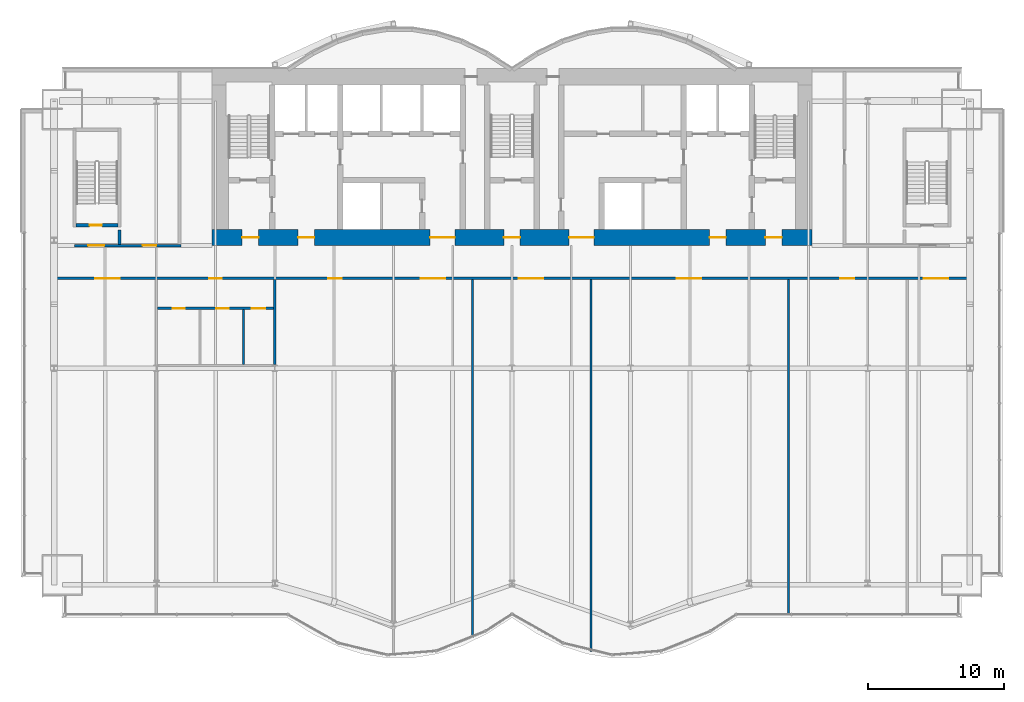
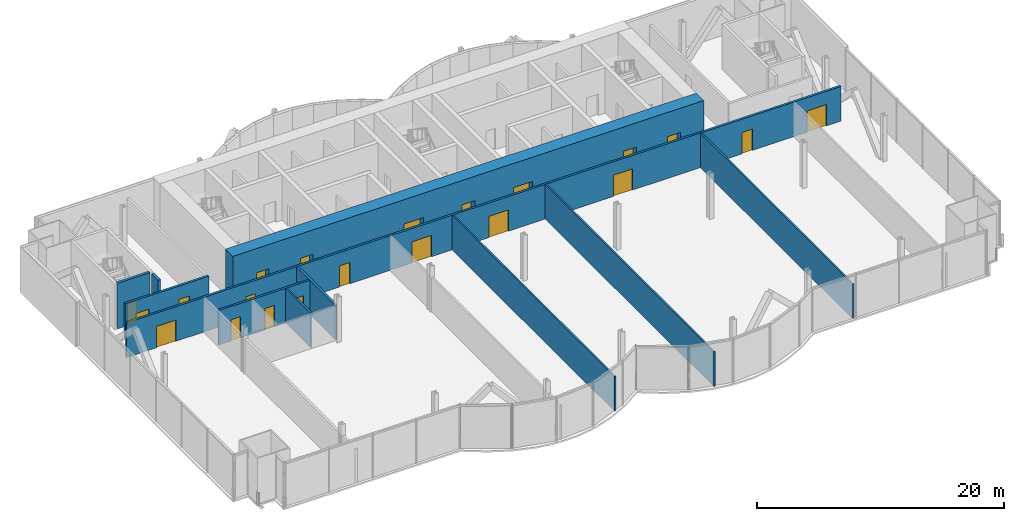
# One storey, part 15 of 21: 21 doors, 11 walls, 21 openings.
"""IFC4 building model written with IfcOpenShell, lengths in metres."""

from ifc_helpers import new_model, si_unit, direction, frame, frame_2d, origin, place, context, subcontext, project, spatial, rectangle, extrude, material, layer, layer_set, type_object, element, fill, save


model = new_model("IFC4")

# Units and contexts
model_context = context("Model", 3, precision=1e-05, world=origin(), true_north=direction((0.0, 1.0)))
body_context = subcontext(model_context, "Body", "Model", "MODEL_VIEW")
ifc_project = project(units=[si_unit("LENGTHUNIT", "METRE"), si_unit("AREAUNIT", "SQUARE_METRE"), si_unit("VOLUMEUNIT", "CUBIC_METRE"), si_unit("PLANEANGLEUNIT", "RADIAN"), si_unit("MASSUNIT", "GRAM", prefix="KILO")], contexts=[model_context])

# Site, building, storey
site_placement = place(None, origin())
site = spatial("IfcSite", under=ifc_project, at=site_placement, CompositionType="ELEMENT")
building_placement = place(site_placement, origin())
building = spatial("IfcBuilding", under=site, at=building_placement, Name="Bicima Exchange Tower", CompositionType="ELEMENT")
storey_placement = place(building_placement, frame((0.0, 0.0, 66.5)))
storey = spatial("IfcBuildingStorey", under=building, at=storey_placement, Name="L13", CompositionType="ELEMENT", Elevation=66.5)

# Wall, openings, doors
ifc_material_1 = material(Name="Gypsum board partition")
ifc_layer_1 = layer(ifc_material_1, 0.199951171875)
ifc_layer_set_1 = layer_set([ifc_layer_1], Name="Gypsum board partition")
wall_type_1 = type_object("IfcWallType", Name="Fire-rated gypsum partition 200 EI60", PredefinedType="PARTITIONING", material=ifc_layer_set_1)
wall_1_placement = place(storey_placement, frame((-26.0, -17.60009765625, 0.0), z_axis=(0.0, 0.0, 1.0), x_axis=(1.0, 0.0, 0.0)))
wall_1 = element("IfcWall", 1, at=wall_1_placement, inside=storey, type_object=wall_type_1, Name="partition wall 2", PredefinedType="PARTITIONING", context=body_context, shape_type="SweptSolid", body=[
    extrude(rectangle(XDim=8.5, YDim=0.199951171875, at=frame_2d((4.25, 0.0))), origin(), (0.0, 0.0, 1.0), 3.418212890625),
])
opening_1_placement = place(wall_1_placement, frame((1.10009765625, 0.0, 0.0)))
opening_1 = element("IfcOpeningElement", 2, at=opening_1_placement, cuts=wall_1, Name="Opening L13-009", PredefinedType="OPENING", context=body_context, shape_type="SweptSolid", body=[
    extrude(rectangle(XDim=0.89990234375, YDim=2.10009765625, at=frame_2d((0.449951171875, 1.050048828125))), frame((0.0, 0.11181640625, 0.0), z_axis=(0.0, -1.0, 0.0), x_axis=(1.0, 0.0, 0.0)), (0.0, 0.0, 1.0), 0.223876953125),
])
opening_2_placement = place(wall_1_placement, frame((4.300048828125, 0.0, 0.0)))
opening_2 = element("IfcOpeningElement", 3, at=opening_2_placement, cuts=wall_1, Name="Opening L13-010", PredefinedType="OPENING", context=body_context, shape_type="SweptSolid", body=[
    extrude(rectangle(XDim=0.89990234375, YDim=2.10009765625, at=frame_2d((0.449951171875, 1.050048828125))), frame((0.0, 0.11181640625, 0.0), z_axis=(0.0, -1.0, 0.0), x_axis=(1.0, 0.0, 0.0)), (0.0, 0.0, 1.0), 0.223876953125),
])
opening_3_placement = place(wall_1_placement, frame((6.89990234375, 0.0, 0.0)))
opening_3 = element("IfcOpeningElement", 4, at=opening_3_placement, cuts=wall_1, Name="Opening L13-011", PredefinedType="OPENING", context=body_context, shape_type="SweptSolid", body=[
    extrude(rectangle(XDim=1.0, YDim=2.10009765625, at=frame_2d((0.5, 1.050048828125))), frame((0.0, 0.11181640625, 0.0), z_axis=(0.0, -1.0, 0.0), x_axis=(1.0, 0.0, 0.0)), (0.0, 0.0, 1.0), 0.223876953125),
])
ifc_material_2 = material(Name="Steel fire door leaf", Category="steel")
door_type_1 = type_object("IfcDoorType", Name="Door 1000 swing FD30S", OperationType="SINGLE_SWING_LEFT", PredefinedType="DOOR", material=ifc_material_2)
door_1_placement = place(opening_3_placement, frame((1.0, 0.0, 0.0), z_axis=(0.0, 0.0, 1.0), x_axis=(-1.0, 0.0, 0.0)))
door_1 = element("IfcDoor", 5, at=door_1_placement, inside=storey, type_object=door_type_1, Name="Door", OperationType="SINGLE_SWING_RIGHT", OverallHeight=2.10009765625, OverallWidth=1.0, PredefinedType="DOOR", context=body_context, shape_type="SweptSolid", body=[
    extrude(rectangle(XDim=1.0, YDim=2.10009765625, at=frame_2d((0.5, 1.050048828125))), frame((0.0, 0.02490234375, 0.0), z_axis=(0.0, -1.0, 0.0), x_axis=(1.0, 0.0, 0.0)), (0.0, 0.0, 1.0), 0.050048828125),
])
fill(opening_3, door_1)
door_type_2 = type_object("IfcDoorType", Name="Door 900 swing FD30S", OperationType="SINGLE_SWING_LEFT", PredefinedType="DOOR", material=ifc_material_2)
door_2_placement = place(opening_1_placement, frame((0.89990234375, 0.0, 0.0), z_axis=(0.0, 0.0, 1.0), x_axis=(-1.0, 0.0, 0.0)))
door_2 = element("IfcDoor", 6, at=door_2_placement, inside=storey, type_object=door_type_2, Name="Door", OperationType="SINGLE_SWING_RIGHT", OverallHeight=2.10009765625, OverallWidth=0.89990234375, PredefinedType="DOOR", context=body_context, shape_type="SweptSolid", body=[
    extrude(rectangle(XDim=0.89990234375, YDim=2.10009765625, at=frame_2d((0.449951171875, 1.050048828125))), frame((0.0, 0.02490234375, 0.0), z_axis=(0.0, -1.0, 0.0), x_axis=(1.0, 0.0, 0.0)), (0.0, 0.0, 1.0), 0.050048828125),
])
fill(opening_1, door_2)
door_3_placement = place(opening_2_placement, frame((0.89990234375, 0.0, 0.0), z_axis=(0.0, 0.0, 1.0), x_axis=(-1.0, 0.0, 0.0)))
door_3 = element("IfcDoor", 7, at=door_3_placement, inside=storey, type_object=door_type_2, Name="Door", OperationType="SINGLE_SWING_LEFT", OverallHeight=2.10009765625, OverallWidth=0.89990234375, PredefinedType="DOOR", context=body_context, shape_type="SweptSolid", body=[
    extrude(rectangle(XDim=0.89990234375, YDim=2.10009765625, at=frame_2d((0.449951171875, 1.050048828125))), frame((0.0, 0.02490234375, 0.0), z_axis=(0.0, -1.0, 0.0), x_axis=(1.0, 0.0, 0.0)), (0.0, 0.0, 1.0), 0.050048828125),
])
fill(opening_2, door_3)

wall_2_placement = place(storey_placement, frame((-33.3701171875, -15.39990234375, 0.0), z_axis=(0.0, 0.0, 1.0), x_axis=(1.0, 0.0, 0.0)))
wall_2 = element("IfcWall", 8, at=wall_2_placement, inside=storey, type_object=wall_type_1, Name="partition wall 3", PredefinedType="PARTITIONING", context=body_context, shape_type="SweptSolid", body=[
    extrude(rectangle(XDim=66.740234375, YDim=0.199951171875, at=frame_2d((33.3701171875, 0.0))), origin(), (0.0, 0.0, 1.0), 3.418212890625),
])
opening_4_placement = place(wall_2_placement, frame((2.800048828125, 0.0, 0.0)))
opening_4 = element("IfcOpeningElement", 9, at=opening_4_placement, cuts=wall_2, Name="Opening L13-007", PredefinedType="OPENING", context=body_context, shape_type="SweptSolid", body=[
    extrude(rectangle(XDim=1.800048828125, YDim=2.10009765625, at=frame_2d((0.89990234375, 1.050048828125))), frame((0.0, 0.11181640625, 0.0), z_axis=(0.0, -1.0, 0.0), x_axis=(1.0, 0.0, 0.0)), (0.0, 0.0, 1.0), 0.223876953125),
])
opening_5_placement = place(wall_2_placement, frame((11.169921875, 0.0, 0.0)))
opening_5 = element("IfcOpeningElement", 10, at=opening_5_placement, cuts=wall_2, Name="Opening L13-008", PredefinedType="OPENING", context=body_context, shape_type="SweptSolid", body=[
    extrude(rectangle(XDim=0.89990234375, YDim=2.10009765625, at=frame_2d((0.449951171875, 1.050048828125))), frame((0.0, 0.11181640625, 0.0), z_axis=(0.0, -1.0, 0.0), x_axis=(1.0, 0.0, 0.0)), (0.0, 0.0, 1.0), 0.223876953125),
])
opening_6_placement = place(wall_2_placement, frame((19.8701171875, 0.0, 0.0)))
opening_6 = element("IfcOpeningElement", 11, at=opening_6_placement, cuts=wall_2, Name="Opening L13-012", PredefinedType="OPENING", context=body_context, shape_type="SweptSolid", body=[
    extrude(rectangle(XDim=1.0, YDim=2.10009765625, at=frame_2d((0.5, 1.050048828125))), frame((0.0, 0.11181640625, 0.0), z_axis=(0.0, -1.0, 0.0), x_axis=(1.0, 0.0, 0.0)), (0.0, 0.0, 1.0), 0.223876953125),
])
opening_7_placement = place(wall_2_placement, frame((26.669921875, 0.0, 0.0)))
opening_7 = element("IfcOpeningElement", 12, at=opening_7_placement, cuts=wall_2, Name="Opening L13-013", PredefinedType="OPENING", context=body_context, shape_type="SweptSolid", body=[
    extrude(rectangle(XDim=1.800048828125, YDim=2.10009765625, at=frame_2d((0.89990234375, 1.050048828125))), frame((0.0, 0.11181640625, 0.0), z_axis=(0.0, -1.0, 0.0), x_axis=(1.0, 0.0, 0.0)), (0.0, 0.0, 1.0), 0.223876953125),
])
opening_8_placement = place(wall_2_placement, frame((33.8701171875, 0.0, 0.0)))
opening_8 = element("IfcOpeningElement", 13, at=opening_8_placement, cuts=wall_2, Name="Opening L13-014", PredefinedType="OPENING", context=body_context, shape_type="SweptSolid", body=[
    extrude(rectangle(XDim=1.800048828125, YDim=2.10009765625, at=frame_2d((0.89990234375, 1.050048828125))), frame((0.0, 0.11181640625, 0.0), z_axis=(0.0, -1.0, 0.0), x_axis=(1.0, 0.0, 0.0)), (0.0, 0.0, 1.0), 0.223876953125),
])
opening_9_placement = place(wall_2_placement, frame((45.469970703125, 0.0, 0.0)))
opening_9 = element("IfcOpeningElement", 14, at=opening_9_placement, cuts=wall_2, Name="Opening L13-015", PredefinedType="OPENING", context=body_context, shape_type="SweptSolid", body=[
    extrude(rectangle(XDim=1.800048828125, YDim=2.10009765625, at=frame_2d((0.89990234375, 1.050048828125))), frame((0.0, 0.11181640625, 0.0), z_axis=(0.0, -1.0, 0.0), x_axis=(1.0, 0.0, 0.0)), (0.0, 0.0, 1.0), 0.223876953125),
])
opening_10_placement = place(wall_2_placement, frame((57.469970703125, 0.0, 0.0)))
opening_10 = element("IfcOpeningElement", 15, at=opening_10_placement, cuts=wall_2, Name="Opening L13-016", PredefinedType="OPENING", context=body_context, shape_type="SweptSolid", body=[
    extrude(rectangle(XDim=1.0, YDim=2.10009765625, at=frame_2d((0.5, 1.050048828125))), frame((0.0, 0.11181640625, 0.0), z_axis=(0.0, -1.0, 0.0), x_axis=(1.0, 0.0, 0.0)), (0.0, 0.0, 1.0), 0.223876953125),
])
opening_11_placement = place(wall_2_placement, frame((63.570068359375, 0.0, 0.0)))
opening_11 = element("IfcOpeningElement", 16, at=opening_11_placement, cuts=wall_2, Name="Opening L13-017", PredefinedType="OPENING", context=body_context, shape_type="SweptSolid", body=[
    extrude(rectangle(XDim=1.800048828125, YDim=2.10009765625, at=frame_2d((0.89990234375, 1.050048828125))), frame((0.0, 0.11181640625, 0.0), z_axis=(0.0, -1.0, 0.0), x_axis=(1.0, 0.0, 0.0)), (0.0, 0.0, 1.0), 0.223876953125),
])
door_4_placement = place(opening_6_placement, frame((1.0, 0.0, 0.0), z_axis=(0.0, 0.0, 1.0), x_axis=(-1.0, 0.0, 0.0)))
door_4 = element("IfcDoor", 17, at=door_4_placement, inside=storey, type_object=door_type_1, Name="Door", OperationType="SINGLE_SWING_RIGHT", OverallHeight=2.10009765625, OverallWidth=1.0, PredefinedType="DOOR", context=body_context, shape_type="SweptSolid", body=[
    extrude(rectangle(XDim=1.0, YDim=2.10009765625, at=frame_2d((0.5, 1.050048828125))), frame((0.0, 0.02490234375, 0.0), z_axis=(0.0, -1.0, 0.0), x_axis=(1.0, 0.0, 0.0)), (0.0, 0.0, 1.0), 0.050048828125),
])
fill(opening_6, door_4)
door_5_placement = place(opening_10_placement, frame((1.0, 0.0, 0.0), z_axis=(0.0, 0.0, 1.0), x_axis=(-1.0, 0.0, 0.0)))
door_5 = element("IfcDoor", 18, at=door_5_placement, inside=storey, type_object=door_type_1, Name="Door", OperationType="SINGLE_SWING_LEFT", OverallHeight=2.10009765625, OverallWidth=1.0, PredefinedType="DOOR", context=body_context, shape_type="SweptSolid", body=[
    extrude(rectangle(XDim=1.0, YDim=2.10009765625, at=frame_2d((0.5, 1.050048828125))), frame((0.0, 0.02490234375, 0.0), z_axis=(0.0, -1.0, 0.0), x_axis=(1.0, 0.0, 0.0)), (0.0, 0.0, 1.0), 0.050048828125),
])
fill(opening_10, door_5)
door_type_3 = type_object("IfcDoorType", Name="Door 1800 double swing FD30S", OperationType="DOUBLE_DOOR_SINGLE_SWING", PredefinedType="DOOR", material=ifc_material_2)
door_6_placement = place(opening_4_placement, origin())
door_6 = element("IfcDoor", 19, at=door_6_placement, inside=storey, type_object=door_type_3, Name="Door", OperationType="SINGLE_SWING_LEFT", OverallHeight=2.10009765625, OverallWidth=1.800048828125, PredefinedType="DOOR", context=body_context, shape_type="SweptSolid", body=[
    extrude(rectangle(XDim=1.800048828125, YDim=2.10009765625, at=frame_2d((0.89990234375, 1.050048828125))), frame((0.0, 0.02490234375, 0.0), z_axis=(0.0, -1.0, 0.0), x_axis=(1.0, 0.0, 0.0)), (0.0, 0.0, 1.0), 0.050048828125),
])
fill(opening_4, door_6)
door_7_placement = place(opening_7_placement, origin())
door_7 = element("IfcDoor", 20, at=door_7_placement, inside=storey, type_object=door_type_3, Name="Door", OperationType="SINGLE_SWING_LEFT", OverallHeight=2.10009765625, OverallWidth=1.800048828125, PredefinedType="DOOR", context=body_context, shape_type="SweptSolid", body=[
    extrude(rectangle(XDim=1.800048828125, YDim=2.10009765625, at=frame_2d((0.89990234375, 1.050048828125))), frame((0.0, 0.02490234375, 0.0), z_axis=(0.0, -1.0, 0.0), x_axis=(1.0, 0.0, 0.0)), (0.0, 0.0, 1.0), 0.050048828125),
])
fill(opening_7, door_7)
door_8_placement = place(opening_8_placement, origin())
door_8 = element("IfcDoor", 21, at=door_8_placement, inside=storey, type_object=door_type_3, Name="Door", OperationType="SINGLE_SWING_LEFT", OverallHeight=2.10009765625, OverallWidth=1.800048828125, PredefinedType="DOOR", context=body_context, shape_type="SweptSolid", body=[
    extrude(rectangle(XDim=1.800048828125, YDim=2.10009765625, at=frame_2d((0.89990234375, 1.050048828125))), frame((0.0, 0.02490234375, 0.0), z_axis=(0.0, -1.0, 0.0), x_axis=(1.0, 0.0, 0.0)), (0.0, 0.0, 1.0), 0.050048828125),
])
fill(opening_8, door_8)
door_9_placement = place(opening_9_placement, origin())
door_9 = element("IfcDoor", 22, at=door_9_placement, inside=storey, type_object=door_type_3, Name="Door", OperationType="SINGLE_SWING_LEFT", OverallHeight=2.10009765625, OverallWidth=1.800048828125, PredefinedType="DOOR", context=body_context, shape_type="SweptSolid", body=[
    extrude(rectangle(XDim=1.800048828125, YDim=2.10009765625, at=frame_2d((0.89990234375, 1.050048828125))), frame((0.0, 0.02490234375, 0.0), z_axis=(0.0, -1.0, 0.0), x_axis=(1.0, 0.0, 0.0)), (0.0, 0.0, 1.0), 0.050048828125),
])
fill(opening_9, door_9)
door_10_placement = place(opening_11_placement, origin())
door_10 = element("IfcDoor", 23, at=door_10_placement, inside=storey, type_object=door_type_3, Name="Door", OperationType="SINGLE_SWING_LEFT", OverallHeight=2.10009765625, OverallWidth=1.800048828125, PredefinedType="DOOR", context=body_context, shape_type="SweptSolid", body=[
    extrude(rectangle(XDim=1.800048828125, YDim=2.10009765625, at=frame_2d((0.89990234375, 1.050048828125))), frame((0.0, 0.02490234375, 0.0), z_axis=(0.0, -1.0, 0.0), x_axis=(1.0, 0.0, 0.0)), (0.0, 0.0, 1.0), 0.050048828125),
])
fill(opening_11, door_10)
door_11_placement = place(opening_5_placement, frame((0.89990234375, 0.0, 0.0), z_axis=(0.0, 0.0, 1.0), x_axis=(-1.0, 0.0, 0.0)))
door_11 = element("IfcDoor", 24, at=door_11_placement, inside=storey, type_object=door_type_2, Name="Door", OperationType="SINGLE_SWING_RIGHT", OverallHeight=2.10009765625, OverallWidth=0.89990234375, PredefinedType="DOOR", context=body_context, shape_type="SweptSolid", body=[
    extrude(rectangle(XDim=0.89990234375, YDim=2.10009765625, at=frame_2d((0.449951171875, 1.050048828125))), frame((0.0, 0.02490234375, 0.0), z_axis=(0.0, -1.0, 0.0), x_axis=(1.0, 0.0, 0.0)), (0.0, 0.0, 1.0), 0.050048828125),
])
fill(opening_5, door_11)

wall_3_placement = place(storey_placement, frame((-32.10009765625, -13.0, 0.0), z_axis=(0.0, 0.0, 1.0), x_axis=(1.0, 0.0, 0.0)))
wall_3 = element("IfcWall", 25, at=wall_3_placement, inside=storey, type_object=wall_type_1, Name="partition wall 4", PredefinedType="PARTITIONING", context=body_context, shape_type="SweptSolid", body=[
    extrude(rectangle(XDim=7.800048828125, YDim=0.199951171875, at=frame_2d((3.89990234375, 0.0))), origin(), (0.0, 0.0, 1.0), 3.418212890625),
])
opening_12_placement = place(wall_3_placement, frame((1.0, 0.0, 0.0)))
opening_12 = element("IfcOpeningElement", 26, at=opening_12_placement, cuts=wall_3, Name="Opening L13-001", PredefinedType="OPENING", context=body_context, shape_type="SweptSolid", body=[
    extrude(rectangle(XDim=1.199951171875, YDim=2.10009765625, at=frame_2d((0.60009765625, 1.050048828125))), frame((0.0, 0.11181640625, 0.0), z_axis=(0.0, -1.0, 0.0), x_axis=(1.0, 0.0, 0.0)), (0.0, 0.0, 1.0), 0.223876953125),
])
opening_13_placement = place(wall_3_placement, frame((5.0, 0.0, 0.0)))
opening_13 = element("IfcOpeningElement", 27, at=opening_13_placement, cuts=wall_3, Name="Opening L13-005", PredefinedType="OPENING", context=body_context, shape_type="SweptSolid", body=[
    extrude(rectangle(XDim=1.0, YDim=2.10009765625, at=frame_2d((0.5, 1.050048828125))), frame((0.0, 0.11181640625, 0.0), z_axis=(0.0, -1.0, 0.0), x_axis=(1.0, 0.0, 0.0)), (0.0, 0.0, 1.0), 0.223876953125),
])
door_12_placement = place(opening_13_placement, origin())
door_12 = element("IfcDoor", 28, at=door_12_placement, inside=storey, type_object=door_type_1, Name="Door", OperationType="SINGLE_SWING_LEFT", OverallHeight=2.10009765625, OverallWidth=1.0, PredefinedType="DOOR", context=body_context, shape_type="SweptSolid", body=[
    extrude(rectangle(XDim=1.0, YDim=2.10009765625, at=frame_2d((0.5, 1.050048828125))), frame((0.0, 0.02490234375, 0.0), z_axis=(0.0, -1.0, 0.0), x_axis=(1.0, 0.0, 0.0)), (0.0, 0.0, 1.0), 0.050048828125),
])
fill(opening_13, door_12)
door_type_4 = type_object("IfcDoorType", Name="Door 1200 swing FD30S", OperationType="SINGLE_SWING_LEFT", PredefinedType="DOOR", material=ifc_material_2)
door_13_placement = place(opening_12_placement, origin())
door_13 = element("IfcDoor", 29, at=door_13_placement, inside=storey, type_object=door_type_4, Name="Door", OperationType="SINGLE_SWING_LEFT", OverallHeight=2.10009765625, OverallWidth=1.199951171875, PredefinedType="DOOR", context=body_context, shape_type="SweptSolid", body=[
    extrude(rectangle(XDim=1.199951171875, YDim=2.10009765625, at=frame_2d((0.60009765625, 1.050048828125))), frame((0.0, 0.02490234375, 0.0), z_axis=(0.0, -1.0, 0.0), x_axis=(1.0, 0.0, 0.0)), (0.0, 0.0, 1.0), 0.050048828125),
])
fill(opening_12, door_13)

# Walls
wall_4_placement = place(storey_placement, frame((-17.39990234375, -21.72509765625, 0.0), z_axis=(0.0, 0.0, 1.0), x_axis=(0.0, 1.0, 0.0)))
element("IfcWall", 30, at=wall_4_placement, inside=storey, type_object=wall_type_1, Name="partition wall 18", PredefinedType="PARTITIONING", context=body_context, shape_type="SweptSolid", body=[
    extrude(rectangle(XDim=6.22509765625, YDim=0.199951171875, at=frame_2d((3.112548828125, 0.0))), origin(), (0.0, 0.0, 1.0), 3.418212890625),
])
ifc_layer_2 = layer(ifc_material_1, 0.14990234375)
ifc_layer_set_2 = layer_set([ifc_layer_2], Name="Gypsum board partition")
wall_type_2 = type_object("IfcWallType", Name="Gypsum partition 150", PredefinedType="PARTITIONING", material=ifc_layer_set_2)
wall_5_placement = place(storey_placement, frame((-19.699951171875, -21.72509765625, 0.0), z_axis=(0.0, 0.0, 1.0), x_axis=(0.0, 1.0, 0.0)))
element("IfcWall", 31, at=wall_5_placement, inside=storey, type_object=wall_type_2, Name="partition wall 17", PredefinedType="PARTITIONING", context=body_context, shape_type="SweptSolid", body=[
    extrude(rectangle(XDim=4.025146484375, YDim=0.14990234375, at=frame_2d((2.0126953125, 0.0))), origin(), (0.0, 0.0, 1.0), 3.418212890625),
])
wall_6_placement = place(storey_placement, frame((-2.89990234375, -41.760009765625, 0.0), z_axis=(0.0, 0.0, 1.0), x_axis=(0.0, 1.0, 0.0)))
element("IfcWall", 32, at=wall_6_placement, inside=storey, type_object=wall_type_2, Name="partition wall 21", PredefinedType="PARTITIONING", context=body_context, shape_type="SweptSolid", body=[
    extrude(rectangle(XDim=26.260009765625, YDim=0.14990234375, at=frame_2d((13.1298828125, 0.0))), origin(), (0.0, 0.0, 1.0), 3.418212890625),
])
wall_7_placement = place(storey_placement, frame((5.800048828125, -42.7900390625, 0.0), z_axis=(0.0, 0.0, 1.0), x_axis=(0.0, 1.0, 0.0)))
element("IfcWall", 33, at=wall_7_placement, inside=storey, type_object=wall_type_2, Name="partition wall 22", PredefinedType="PARTITIONING", context=body_context, shape_type="SweptSolid", body=[
    extrude(rectangle(XDim=27.2900390625, YDim=0.14990234375, at=frame_2d((13.64501953125, 0.0))), origin(), (0.0, 0.0, 1.0), 3.418212890625),
])
wall_8_placement = place(storey_placement, frame((20.300048828125, -40.080078125, 0.0), z_axis=(0.0, 0.0, 1.0), x_axis=(0.0, 1.0, 0.0)))
element("IfcWall", 34, at=wall_8_placement, inside=storey, type_object=wall_type_2, Name="partition wall 23", PredefinedType="PARTITIONING", context=body_context, shape_type="SweptSolid", body=[
    extrude(rectangle(XDim=24.580078125, YDim=0.14990234375, at=frame_2d((12.2900390625, 0.0))), origin(), (0.0, 0.0, 1.0), 3.418212890625),
])

# Wall, openings, doors
ifc_material_3 = material(Name="Concrete C60/75", Category="concrete")
ifc_layer_3 = layer(ifc_material_3, 1.199951171875)
ifc_layer_set_3 = layer_set([ifc_layer_3], Name="Concrete C60/75")
wall_type_3 = type_object("IfcWallType", Name="RC core wall 1200 C60/75", PredefinedType="SHEAR", material=ifc_layer_set_3)
wall_9_placement = place(storey_placement, frame((-22.0, -12.39990234375, 0.0), z_axis=(0.0, 0.0, 1.0), x_axis=(1.0, 0.0, 0.0)))
wall_9 = element("IfcWall", 35, at=wall_9_placement, inside=storey, type_object=wall_type_3, Name="Core wall south", PredefinedType="SHEAR", context=body_context, shape_type="SweptSolid", body=[
    extrude(rectangle(XDim=44.0, YDim=1.199951171875, at=frame_2d((22.0, 0.0))), origin(), (0.0, 0.0, 1.0), 4.5),
])
opening_14_placement = place(wall_9_placement, frame((2.199951171875, 0.0, 0.0)))
opening_14 = element("IfcOpeningElement", 36, at=opening_14_placement, cuts=wall_9, Name="Opening L13-C18", PredefinedType="OPENING", context=body_context, shape_type="SweptSolid", body=[
    extrude(rectangle(XDim=1.199951171875, YDim=2.10009765625, at=frame_2d((0.60009765625, 1.050048828125))), frame((0.0, 0.61181640625, 0.0), z_axis=(0.0, -1.0, 0.0), x_axis=(1.0, 0.0, 0.0)), (0.0, 0.0, 1.0), 1.223876953125),
])
opening_15_placement = place(wall_9_placement, frame((21.39990234375, 0.0, 0.0)))
opening_15 = element("IfcOpeningElement", 37, at=opening_15_placement, cuts=wall_9, Name="Opening L13-C19", PredefinedType="OPENING", context=body_context, shape_type="SweptSolid", body=[
    extrude(rectangle(XDim=1.199951171875, YDim=2.10009765625, at=frame_2d((0.60009765625, 1.050048828125))), frame((0.0, 0.61181640625, 0.0), z_axis=(0.0, -1.0, 0.0), x_axis=(1.0, 0.0, 0.0)), (0.0, 0.0, 1.0), 1.223876953125),
])
opening_16_placement = place(wall_9_placement, frame((40.60009765625, 0.0, 0.0)))
opening_16 = element("IfcOpeningElement", 38, at=opening_16_placement, cuts=wall_9, Name="Opening L13-C20", PredefinedType="OPENING", context=body_context, shape_type="SweptSolid", body=[
    extrude(rectangle(XDim=1.199951171875, YDim=2.10009765625, at=frame_2d((0.60009765625, 1.050048828125))), frame((0.0, 0.61181640625, 0.0), z_axis=(0.0, -1.0, 0.0), x_axis=(1.0, 0.0, 0.0)), (0.0, 0.0, 1.0), 1.223876953125),
])
opening_17_placement = place(wall_9_placement, frame((16.0, 0.0, 0.0)))
opening_17 = element("IfcOpeningElement", 39, at=opening_17_placement, cuts=wall_9, Name="Opening L13-C21", PredefinedType="OPENING", context=body_context, shape_type="SweptSolid", body=[
    extrude(rectangle(XDim=1.800048828125, YDim=2.10009765625, at=frame_2d((0.89990234375, 1.050048828125))), frame((0.0, 0.61181640625, 0.0), z_axis=(0.0, -1.0, 0.0), x_axis=(1.0, 0.0, 0.0)), (0.0, 0.0, 1.0), 1.223876953125),
])
opening_18_placement = place(wall_9_placement, frame((6.300048828125, 0.0, 0.0)))
opening_18 = element("IfcOpeningElement", 40, at=opening_18_placement, cuts=wall_9, Name="Opening L13-C22", PredefinedType="OPENING", context=body_context, shape_type="SweptSolid", body=[
    extrude(rectangle(XDim=1.199951171875, YDim=2.10009765625, at=frame_2d((0.60009765625, 1.050048828125))), frame((0.0, 0.61181640625, 0.0), z_axis=(0.0, -1.0, 0.0), x_axis=(1.0, 0.0, 0.0)), (0.0, 0.0, 1.0), 1.223876953125),
])
opening_19_placement = place(wall_9_placement, frame((26.199951171875, 0.0, 0.0)))
opening_19 = element("IfcOpeningElement", 41, at=opening_19_placement, cuts=wall_9, Name="Opening L13-C23", PredefinedType="OPENING", context=body_context, shape_type="SweptSolid", body=[
    extrude(rectangle(XDim=1.800048828125, YDim=2.10009765625, at=frame_2d((0.89990234375, 1.050048828125))), frame((0.0, 0.61181640625, 0.0), z_axis=(0.0, -1.0, 0.0), x_axis=(1.0, 0.0, 0.0)), (0.0, 0.0, 1.0), 1.223876953125),
])
opening_20_placement = place(wall_9_placement, frame((36.5, 0.0, 0.0)))
opening_20 = element("IfcOpeningElement", 42, at=opening_20_placement, cuts=wall_9, Name="Opening L13-C24", PredefinedType="OPENING", context=body_context, shape_type="SweptSolid", body=[
    extrude(rectangle(XDim=1.199951171875, YDim=2.10009765625, at=frame_2d((0.60009765625, 1.050048828125))), frame((0.0, 0.61181640625, 0.0), z_axis=(0.0, -1.0, 0.0), x_axis=(1.0, 0.0, 0.0)), (0.0, 0.0, 1.0), 1.223876953125),
])
door_type_5 = type_object("IfcDoorType", Name="Door 1200 swing FD60S", OperationType="SINGLE_SWING_LEFT", PredefinedType="DOOR", material=ifc_material_2)
door_14_placement = place(opening_14_placement, frame((1.199951171875, 0.0, 0.0), z_axis=(0.0, 0.0, 1.0), x_axis=(-1.0, 0.0, 0.0)))
door_14 = element("IfcDoor", 43, at=door_14_placement, inside=storey, type_object=door_type_5, Name="Core door", OperationType="SINGLE_SWING_RIGHT", OverallHeight=2.10009765625, OverallWidth=1.199951171875, PredefinedType="DOOR", context=body_context, shape_type="SweptSolid", body=[
    extrude(rectangle(XDim=1.199951171875, YDim=2.10009765625, at=frame_2d((0.60009765625, 1.050048828125))), frame((0.0, 0.02490234375, 0.0), z_axis=(0.0, -1.0, 0.0), x_axis=(1.0, 0.0, 0.0)), (0.0, 0.0, 1.0), 0.050048828125),
])
fill(opening_14, door_14)
door_15_placement = place(opening_15_placement, frame((1.199951171875, 0.0, 0.0), z_axis=(0.0, 0.0, 1.0), x_axis=(-1.0, 0.0, 0.0)))
door_15 = element("IfcDoor", 44, at=door_15_placement, inside=storey, type_object=door_type_5, Name="Core door", OperationType="SINGLE_SWING_RIGHT", OverallHeight=2.10009765625, OverallWidth=1.199951171875, PredefinedType="DOOR", context=body_context, shape_type="SweptSolid", body=[
    extrude(rectangle(XDim=1.199951171875, YDim=2.10009765625, at=frame_2d((0.60009765625, 1.050048828125))), frame((0.0, 0.02490234375, 0.0), z_axis=(0.0, -1.0, 0.0), x_axis=(1.0, 0.0, 0.0)), (0.0, 0.0, 1.0), 0.050048828125),
])
fill(opening_15, door_15)
door_16_placement = place(opening_16_placement, frame((1.199951171875, 0.0, 0.0), z_axis=(0.0, 0.0, 1.0), x_axis=(-1.0, 0.0, 0.0)))
door_16 = element("IfcDoor", 45, at=door_16_placement, inside=storey, type_object=door_type_5, Name="Core door", OperationType="SINGLE_SWING_RIGHT", OverallHeight=2.10009765625, OverallWidth=1.199951171875, PredefinedType="DOOR", context=body_context, shape_type="SweptSolid", body=[
    extrude(rectangle(XDim=1.199951171875, YDim=2.10009765625, at=frame_2d((0.60009765625, 1.050048828125))), frame((0.0, 0.02490234375, 0.0), z_axis=(0.0, -1.0, 0.0), x_axis=(1.0, 0.0, 0.0)), (0.0, 0.0, 1.0), 0.050048828125),
])
fill(opening_16, door_16)
door_17_placement = place(opening_18_placement, frame((1.199951171875, 0.0, 0.0), z_axis=(0.0, 0.0, 1.0), x_axis=(-1.0, 0.0, 0.0)))
door_17 = element("IfcDoor", 46, at=door_17_placement, inside=storey, type_object=door_type_5, Name="Core door", OperationType="SINGLE_SWING_RIGHT", OverallHeight=2.10009765625, OverallWidth=1.199951171875, PredefinedType="DOOR", context=body_context, shape_type="SweptSolid", body=[
    extrude(rectangle(XDim=1.199951171875, YDim=2.10009765625, at=frame_2d((0.60009765625, 1.050048828125))), frame((0.0, 0.02490234375, 0.0), z_axis=(0.0, -1.0, 0.0), x_axis=(1.0, 0.0, 0.0)), (0.0, 0.0, 1.0), 0.050048828125),
])
fill(opening_18, door_17)
door_18_placement = place(opening_20_placement, frame((1.199951171875, 0.0, 0.0), z_axis=(0.0, 0.0, 1.0), x_axis=(-1.0, 0.0, 0.0)))
door_18 = element("IfcDoor", 47, at=door_18_placement, inside=storey, type_object=door_type_5, Name="Core door", OperationType="SINGLE_SWING_RIGHT", OverallHeight=2.10009765625, OverallWidth=1.199951171875, PredefinedType="DOOR", context=body_context, shape_type="SweptSolid", body=[
    extrude(rectangle(XDim=1.199951171875, YDim=2.10009765625, at=frame_2d((0.60009765625, 1.050048828125))), frame((0.0, 0.02490234375, 0.0), z_axis=(0.0, -1.0, 0.0), x_axis=(1.0, 0.0, 0.0)), (0.0, 0.0, 1.0), 0.050048828125),
])
fill(opening_20, door_18)
door_19_placement = place(opening_17_placement, origin())
door_19 = element("IfcDoor", 48, at=door_19_placement, inside=storey, type_object=door_type_3, Name="Core door", OperationType="SINGLE_SWING_LEFT", OverallHeight=2.10009765625, OverallWidth=1.800048828125, PredefinedType="DOOR", context=body_context, shape_type="SweptSolid", body=[
    extrude(rectangle(XDim=1.800048828125, YDim=2.10009765625, at=frame_2d((0.89990234375, 1.050048828125))), frame((0.0, 0.02490234375, 0.0), z_axis=(0.0, -1.0, 0.0), x_axis=(1.0, 0.0, 0.0)), (0.0, 0.0, 1.0), 0.050048828125),
])
fill(opening_17, door_19)
door_20_placement = place(opening_19_placement, origin())
door_20 = element("IfcDoor", 49, at=door_20_placement, inside=storey, type_object=door_type_3, Name="Core door", OperationType="SINGLE_SWING_LEFT", OverallHeight=2.10009765625, OverallWidth=1.800048828125, PredefinedType="DOOR", context=body_context, shape_type="SweptSolid", body=[
    extrude(rectangle(XDim=1.800048828125, YDim=2.10009765625, at=frame_2d((0.89990234375, 1.050048828125))), frame((0.0, 0.02490234375, 0.0), z_axis=(0.0, -1.0, 0.0), x_axis=(1.0, 0.0, 0.0)), (0.0, 0.0, 1.0), 0.050048828125),
])
fill(opening_19, door_20)

# Wall
ifc_material_4 = material(Name="Concrete C50/60", Category="concrete")
ifc_layer_4 = layer(ifc_material_4, 0.25)
ifc_layer_set_4 = layer_set([ifc_layer_4], Name="Concrete C50/60")
wall_type_4 = type_object("IfcWallType", Name="RC core wall 250 C50/60", PredefinedType="SHEAR", material=ifc_layer_set_4)
wall_10_placement = place(storey_placement, frame((-28.800048828125, -12.89990234375, 0.0), z_axis=(0.0, 0.0, 1.0), x_axis=(0.0, 1.0, 0.0)))
element("IfcWall", 50, at=wall_10_placement, inside=storey, type_object=wall_type_4, Name="stair wall 13", PredefinedType="SHEAR", context=body_context, shape_type="SweptSolid", body=[
    extrude(rectangle(XDim=1.0498046875, YDim=0.25, at=frame_2d((0.52490234375, 0.0))), origin(), (0.0, 0.0, 1.0), 4.5),
])

# Wall, opening, door
ifc_layer_5 = layer(ifc_material_4, 0.25)
ifc_layer_set_5 = layer_set([ifc_layer_5], Name="Concrete C50/60")
wall_type_5 = type_object("IfcWallType", Name="RC stair enclosure wall 250 C50/60", PredefinedType="SHEAR", material=ifc_layer_set_5)
wall_11_placement = place(storey_placement, frame((-31.97509765625, -11.5, 0.0), z_axis=(0.0, 0.0, 1.0), x_axis=(1.0, 0.0, 0.0)))
wall_11 = element("IfcWall", 51, at=wall_11_placement, inside=storey, type_object=wall_type_5, Name="West end exit stair wall S", PredefinedType="SHEAR", context=body_context, shape_type="SweptSolid", body=[
    extrude(rectangle(XDim=3.050048828125, YDim=0.25, at=frame_2d((1.52490234375, 0.0))), origin(), (0.0, 0.0, 1.0), 4.5),
])
opening_21_placement = place(wall_11_placement, frame((0.97509765625, 0.0, 0.0)))
opening_21 = element("IfcOpeningElement", 52, at=opening_21_placement, cuts=wall_11, Name="Opening L13-002", PredefinedType="OPENING", context=body_context, shape_type="SweptSolid", body=[
    extrude(rectangle(XDim=0.89990234375, YDim=2.10009765625, at=frame_2d((0.449951171875, 1.050048828125))), frame((0.0, 0.136962890625, 0.0), z_axis=(0.0, -1.0, 0.0), x_axis=(1.0, 0.0, 0.0)), (0.0, 0.0, 1.0), 0.27392578125),
])
door_type_6 = type_object("IfcDoorType", Name="Door 900 swing FD60S", OperationType="SINGLE_SWING_LEFT", PredefinedType="DOOR", material=ifc_material_2)
door_21_placement = place(opening_21_placement, origin())
door_21 = element("IfcDoor", 53, at=door_21_placement, inside=storey, type_object=door_type_6, Name="Door", OperationType="SINGLE_SWING_LEFT", OverallHeight=2.10009765625, OverallWidth=0.89990234375, PredefinedType="DOOR", context=body_context, shape_type="SweptSolid", body=[
    extrude(rectangle(XDim=0.89990234375, YDim=2.10009765625, at=frame_2d((0.449951171875, 1.050048828125))), frame((0.0, 0.02490234375, 0.0), z_axis=(0.0, -1.0, 0.0), x_axis=(1.0, 0.0, 0.0)), (0.0, 0.0, 1.0), 0.050048828125),
])
fill(opening_21, door_21)

save(model, "model.ifc")
